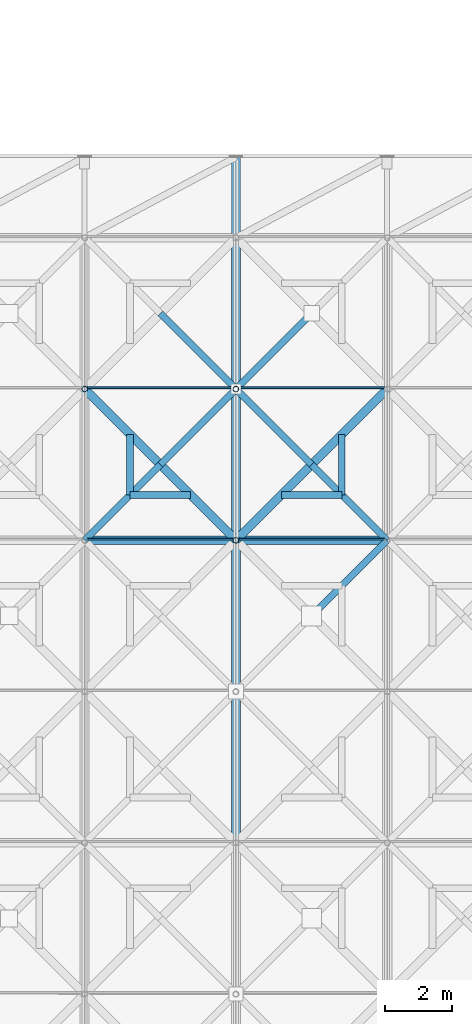
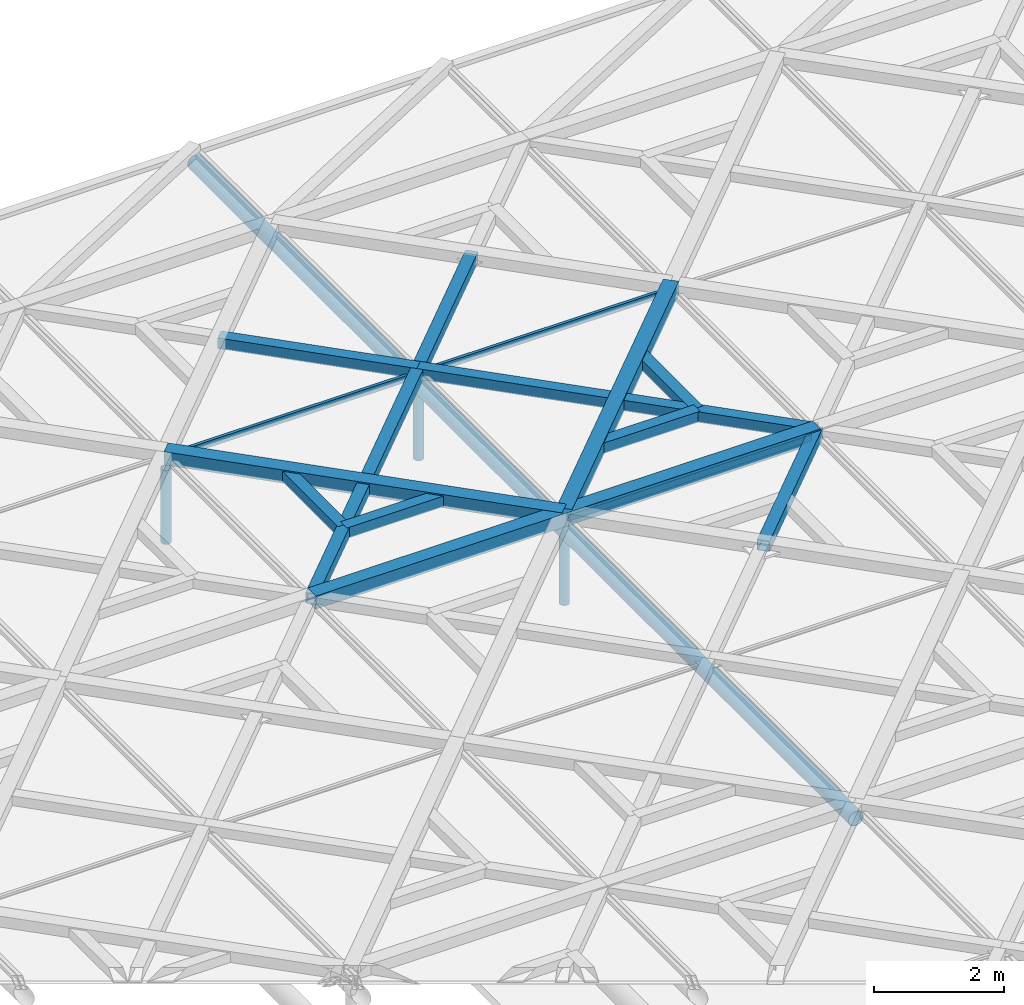
# One storey, part 55 of 80: 21 members, 2 elements without a shape of their own.
"""IFC4 building model written with IfcOpenShell, lengths in metres."""

from ifc_helpers import new_model, si_unit, direction, frame, origin, origin_2d, place, context, subcontext, project, spatial, rectangle, hollow_rectangle, hollow_circle, extrude, material, material_profile, profile_set, type_object, element, aggregate, save


model = new_model("IFC4")

# Units and contexts
model_context = context("Model", 3, precision=1e-05, world=origin(), true_north=direction((0.0, 1.0)))
body_context = subcontext(model_context, "Body", "Model", "MODEL_VIEW")
ifc_project = project(units=[si_unit("LENGTHUNIT", "METRE"), si_unit("AREAUNIT", "SQUARE_METRE"), si_unit("VOLUMEUNIT", "CUBIC_METRE"), si_unit("PLANEANGLEUNIT", "RADIAN"), si_unit("MASSUNIT", "GRAM", prefix="KILO"), si_unit("THERMODYNAMICTEMPERATUREUNIT", "KELVIN"), si_unit("POWERUNIT", "WATT")], contexts=[model_context])

# Site, building, storey
site_placement = place(None, origin())
site = spatial("IfcSite", under=ifc_project, at=site_placement, CompositionType="ELEMENT")
building_placement = place(site_placement, origin())
building = spatial("IfcBuilding", under=site, at=building_placement, Name="Tallowbark Science Centre", CompositionType="ELEMENT")
storey_placement = place(building_placement, frame((0.0, 0.0, 25.949951171875)))
storey = spatial("IfcBuildingStorey", under=building, at=storey_placement, Name="ROOF", CompositionType="ELEMENT", Elevation=25.949951171875)

# Curtain wall, members
ifc_material_1 = material(Name="Blue-Tinted Laminated Low-E Skylight Glass", Category="glass")
curtain_wall_type = type_object("IfcCurtainWallType", Name="CW-SKY-ROOF", PredefinedType="NOTDEFINED", material=ifc_material_1)
curtain_wall_1_placement = place(storey_placement, origin())
curtain_wall_1 = element("IfcCurtainWall", 1, at=curtain_wall_1_placement, inside=storey, type_object=curtain_wall_type, Name="Exhibition Star-Screen Skylight Bay 6", PredefinedType="NOTDEFINED")
ifc_material_2 = material(Name="Anodised Architectural Aluminium Alloy 6063-T6", Category="aluminium")
ifc_material_profile_1 = material_profile(ifc_material_2, rectangle(XDim=0.054931640625, YDim=0.1201171875, at=origin_2d()), Name="ALU55x120")
ifc_profile_set_1 = profile_set([ifc_material_profile_1], Name="Anodised Architectural Aluminium Alloy 6063-T6")
member_type_1 = type_object("IfcMemberType", Name="CWM-SKY-TRN", PredefinedType="USERDEFINED", material=ifc_profile_set_1)
member_1_placement = place(storey_placement, frame((76.580078125, 31.5400390625, 0.35205078125), z_axis=(1.0, 0.0, 0.0), x_axis=(0.0, 1.0, 0.0)))
member_1 = element("IfcMember", 2, at=member_1_placement, type_object=member_type_1, Name="Skylight Bay 6 Transom 8", ObjectType="TRANSOM", PredefinedType="USERDEFINED", context=body_context, shape_type="SweptSolid", body=[
    extrude(rectangle(XDim=0.054931640625, YDim=0.1201171875, at=origin_2d()), origin(), (0.0, 0.0, 1.0), 4.33984375),
])
member_2_placement = place(storey_placement, frame((76.580078125, 36.0400390625, 0.35205078125), z_axis=(1.0, 0.0, 0.0), x_axis=(0.0, 1.0, 0.0)))
member_2 = element("IfcMember", 3, at=member_2_placement, type_object=member_type_1, Name="Skylight Bay 6 Transom 9", ObjectType="TRANSOM", PredefinedType="USERDEFINED", context=body_context, shape_type="SweptSolid", body=[
    extrude(rectangle(XDim=0.054931640625, YDim=0.1201171875, at=origin_2d()), origin(), (0.0, 0.0, 1.0), 4.33984375),
])
aggregate(curtain_wall_1, [member_1, member_2])

curtain_wall_2_placement = place(storey_placement, origin())
curtain_wall_2 = element("IfcCurtainWall", 4, at=curtain_wall_2_placement, inside=storey, type_object=curtain_wall_type, Name="Exhibition Star-Screen Skylight Bay 7", PredefinedType="NOTDEFINED")
member_3_placement = place(storey_placement, frame((81.080078125, 31.5400390625, 0.35205078125), z_axis=(1.0, 0.0, 0.0), x_axis=(0.0, 1.0, 0.0)))
member_3 = element("IfcMember", 5, at=member_3_placement, type_object=member_type_1, Name="Skylight Bay 7 Transom 8", ObjectType="TRANSOM", PredefinedType="USERDEFINED", context=body_context, shape_type="SweptSolid", body=[
    extrude(rectangle(XDim=0.054931640625, YDim=0.1201171875, at=origin_2d()), origin(), (0.0, 0.0, 1.0), 4.33984375),
])
member_4_placement = place(storey_placement, frame((81.080078125, 36.0400390625, 0.35205078125), z_axis=(1.0, 0.0, 0.0), x_axis=(0.0, 1.0, 0.0)))
member_4 = element("IfcMember", 6, at=member_4_placement, type_object=member_type_1, Name="Skylight Bay 7 Transom 9", ObjectType="TRANSOM", PredefinedType="USERDEFINED", context=body_context, shape_type="SweptSolid", body=[
    extrude(rectangle(XDim=0.054931640625, YDim=0.1201171875, at=origin_2d()), origin(), (0.0, 0.0, 1.0), 4.33984375),
])
aggregate(curtain_wall_2, [member_3, member_4])

# Members
ifc_material_3 = material(Name="White Architectural Painted Steel Grade C350L0 (350 MPa)", Category="steel")
ifc_material_profile_2 = material_profile(ifc_material_3, hollow_rectangle(XDim=0.25, YDim=0.25, WallThickness=0.009033203125, at=origin_2d()), Name="250x250x9.0SHS")
ifc_profile_set_2 = profile_set([ifc_material_profile_2], Name="White Architectural Painted Steel Grade C350L0 (350 MPa)")
member_type_2 = type_object("IfcMemberType", Name="SCR-CHD200", PredefinedType="CHORD", material=ifc_profile_set_2)
member_5_placement = place(storey_placement, frame((76.5, 31.5, 0.449951171875), z_axis=(1.0, 0.0, 0.0), x_axis=(0.0, 1.0, 0.0)))
element("IfcMember", 7, at=member_5_placement, inside=storey, type_object=member_type_2, Name="Star Screen Frame Chord TOP-64", PredefinedType="CHORD", context=body_context, shape_type="SweptSolid", body=[
    extrude(hollow_rectangle(XDim=0.25, YDim=0.25, WallThickness=0.009033203125, at=origin_2d()), origin(), (0.0, 0.0, 1.0), 9.0),
])
for number, where, z_axis, x_axis, name in (
    (8, (81.0, 31.5, 0.449951171875), (0.707106781187, 0.707106781187, 0.0), (-0.707106781187, 0.707106781187, 0.0), "Star Screen Octagram Diamond Chord TOP-65-1"),
    (9, (76.5, 36.0, 0.449951171875), (0.707106781187, -0.707106781187, 0.0), (0.707106781187, 0.707106781187, 0.0), "Star Screen Octagram Diamond Chord TOP-65-4"),
):
    element("IfcMember", number, at=place(storey_placement, frame(where, z_axis=z_axis, x_axis=x_axis)), inside=storey, type_object=member_type_2, Name=name, PredefinedType="CHORD", context=body_context, shape_type="SweptSolid", body=[
        extrude(hollow_rectangle(XDim=0.25, YDim=0.25, WallThickness=0.009033203125, at=origin_2d()), origin(), (0.0, 0.0, 1.0), 6.364013671875),
    ])
ifc_material_profile_3 = material_profile(ifc_material_3, hollow_rectangle(XDim=0.199951171875, YDim=0.199951171875, WallThickness=0.009033203125, at=origin_2d()), Name="200x200x9.0SHS")
ifc_profile_set_3 = profile_set([ifc_material_profile_3], Name="White Architectural Painted Steel Grade C350L0 (350 MPa)")
member_type_3 = type_object("IfcMemberType", Name="SCR-STAR139", PredefinedType="BRACE", material=ifc_profile_set_3)
for number, where, z_axis, x_axis, name in (
    (10, (83.25, 29.25, 0.449951171875), (0.707106781187, 0.707106781187, 0.0), (-0.707106781187, 0.707106781187, 0.0), "Star Screen Continuous X-Diagonal D1B TOP-64"),
    (11, (76.5, 31.5, 0.449951171875), (0.707106781187, 0.707106781187, 0.0), (-0.707106781187, 0.707106781187, 0.0), "Star Screen Continuous X-Diagonal D1A TOP-65"),
):
    element("IfcMember", number, at=place(storey_placement, frame(where, z_axis=z_axis, x_axis=x_axis)), inside=storey, type_object=member_type_3, Name=name, PredefinedType="BRACE", context=body_context, shape_type="SweptSolid", body=[
        extrude(hollow_rectangle(XDim=0.199951171875, YDim=0.199951171875, WallThickness=0.009033203125, at=origin_2d()), origin(), (0.0, 0.0, 1.0), 3.181884765625),
    ])
member_6_placement = place(storey_placement, frame((78.75, 33.75, 0.449951171875), z_axis=(0.707106781187, 0.707106781187, 0.0), x_axis=(-0.707106781187, 0.707106781187, 0.0)))
element("IfcMember", 12, at=member_6_placement, inside=storey, type_object=member_type_3, Name="Star Screen Continuous X-Diagonal D1M TOP-65", PredefinedType="BRACE", context=body_context, shape_type="SweptSolid", body=[
    extrude(hollow_rectangle(XDim=0.199951171875, YDim=0.199951171875, WallThickness=0.009033203125, at=origin_2d()), origin(), (0.0, 0.0, 1.0), 6.364013671875),
])
for number, where, z_axis, x_axis, name in (
    (13, (78.75, 38.25, 0.449951171875), (0.707106781187, -0.707106781187, 0.0), (0.707106781187, 0.707106781187, 0.0), "Star Screen Split X-Diagonal D2B TOP-65"),
    (14, (81.0, 36.0, 0.449951171875), (0.707106781187, -0.707106781187, 0.0), (0.707106781187, 0.707106781187, 0.0), "Star Screen Split X-Diagonal D2C TOP-65"),
    (15, (83.25, 33.75, 0.449951171875), (0.707106781187, -0.707106781187, 0.0), (0.707106781187, 0.707106781187, 0.0), "Star Screen Split X-Diagonal D2D TOP-65"),
):
    element("IfcMember", number, at=place(storey_placement, frame(where, z_axis=z_axis, x_axis=x_axis)), inside=storey, type_object=member_type_3, Name=name, PredefinedType="BRACE", context=body_context, shape_type="SweptSolid", body=[
        extrude(hollow_rectangle(XDim=0.199951171875, YDim=0.199951171875, WallThickness=0.009033203125, at=origin_2d()), origin(), (0.0, 0.0, 1.0), 3.181884765625),
    ])
ifc_material_profile_4 = material_profile(ifc_material_3, hollow_rectangle(XDim=0.199951171875, YDim=0.199951171875, WallThickness=0.009033203125, at=origin_2d()), Name="200x200x9.0SHS")
ifc_profile_set_4 = profile_set([ifc_material_profile_4], Name="White Architectural Painted Steel Grade C350L0 (350 MPa)")
member_type_4 = type_object("IfcMemberType", Name="SCR-SUB150", PredefinedType="BRACE", material=ifc_profile_set_4)
for number, where, z_axis, x_axis, name in (
    (16, (77.85009765625, 32.85009765625, 0.449951171875), (1.0, 0.0, 0.0), (0.0, 1.0, 0.0), "Star Screen Octagram Point Ray TOP-65-1"),
    (17, (77.85009765625, 32.85009765625, 0.449951171875), (0.0, 1.0, 0.0), (-1.0, 0.0, 0.0), "Star Screen Octagram Point Ray TOP-65-2"),
    (18, (84.14990234375, 32.85009765625, 0.449951171875), (-1.0, 0.0, 0.0), (0.0, -1.0, 0.0), "Star Screen Octagram Point Ray TOP-65-3"),
    (19, (84.14990234375, 32.85009765625, 0.449951171875), (0.0, 1.0, 0.0), (-1.0, 0.0, 0.0), "Star Screen Octagram Point Ray TOP-65-4"),
):
    element("IfcMember", number, at=place(storey_placement, frame(where, z_axis=z_axis, x_axis=x_axis)), inside=storey, type_object=member_type_4, Name=name, PredefinedType="BRACE", context=body_context, shape_type="SweptSolid", body=[
        extrude(hollow_rectangle(XDim=0.199951171875, YDim=0.199951171875, WallThickness=0.009033203125, at=origin_2d()), origin(), (0.0, 0.0, 1.0), 1.7998046875),
    ])
ifc_material_profile_5 = material_profile(ifc_material_3, hollow_circle(Radius=0.136474609375, WallThickness=0.00927734375, at=origin_2d()), Name="273.1x9.3CHS")
ifc_profile_set_5 = profile_set([ifc_material_profile_5], Name="White Architectural Painted Steel Grade C350L0 (350 MPa)")
member_type_5 = type_object("IfcMemberType", Name="TR-CHD273", PredefinedType="CHORD", material=ifc_profile_set_5)
member_7_placement = place(storey_placement, frame((81.0, 22.5, 0.18994140625), z_axis=(0.0, 1.0, 0.0), x_axis=(-1.0, 0.0, 0.0)))
element("IfcMember", 20, at=member_7_placement, inside=storey, type_object=member_type_5, Name="Exhibition Roof Truss North Top Chord 6", PredefinedType="CHORD", context=body_context, shape_type="SweptSolid", body=[
    extrude(hollow_circle(Radius=0.136474609375, WallThickness=0.00927734375, at=origin_2d()), origin(), (0.0, 0.0, 1.0), 20.39990234375),
])
ifc_material_profile_6 = material_profile(ifc_material_3, hollow_circle(Radius=0.084228515625, WallThickness=0.007080078125, at=origin_2d()), Name="168.3x7.1CHS")
ifc_profile_set_6 = profile_set([ifc_material_profile_6], Name="White Architectural Painted Steel Grade C350L0 (350 MPa)")
member_type_6 = type_object("IfcMemberType", Name="TR-WEB168", PredefinedType="BRACE", material=ifc_profile_set_6)
for number, where, z_axis, x_axis, name in (
    (21, (76.5, 36.0, -1.199951171875), (0.0, 0.0, 1.0), (1.0, 0.0, 0.0), "Exhibition Roof Truss Web 5-36"),
    (22, (81.0, 31.5, -1.199951171875), (0.0, 0.0, 1.0), (1.0, 0.0, 0.0), "Exhibition Roof Truss Web 6-31.5"),
    (23, (81.0, 36.0, -1.199951171875), (0.0, 0.0, 1.0), (1.0, 0.0, 0.0), "Exhibition Roof Truss Web 6-36"),
):
    element("IfcMember", number, at=place(storey_placement, frame(where, z_axis=z_axis, x_axis=x_axis)), inside=storey, type_object=member_type_6, Name=name, PredefinedType="BRACE", context=body_context, shape_type="SweptSolid", body=[
        extrude(hollow_circle(Radius=0.084228515625, WallThickness=0.007080078125, at=origin_2d()), origin(), (0.0, 0.0, 1.0), 1.389892578125),
    ])

save(model, "model.ifc")
